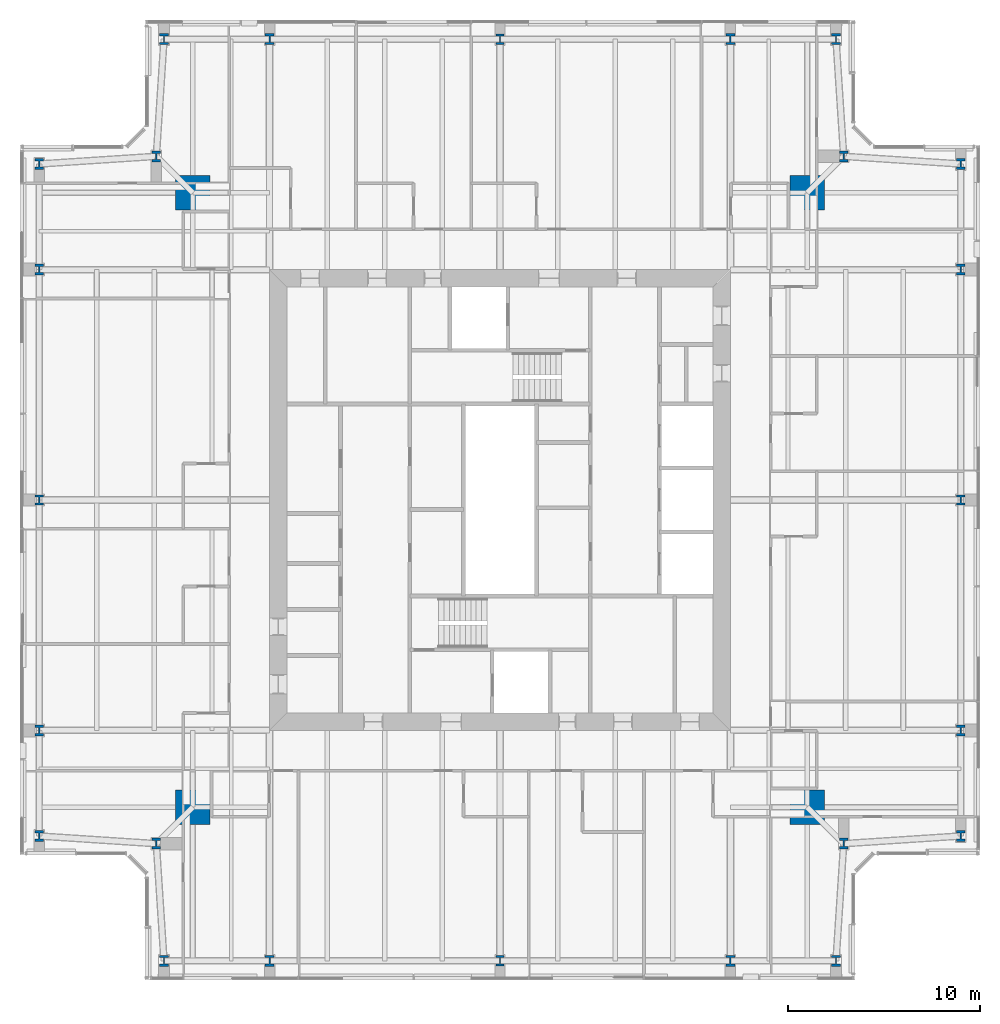
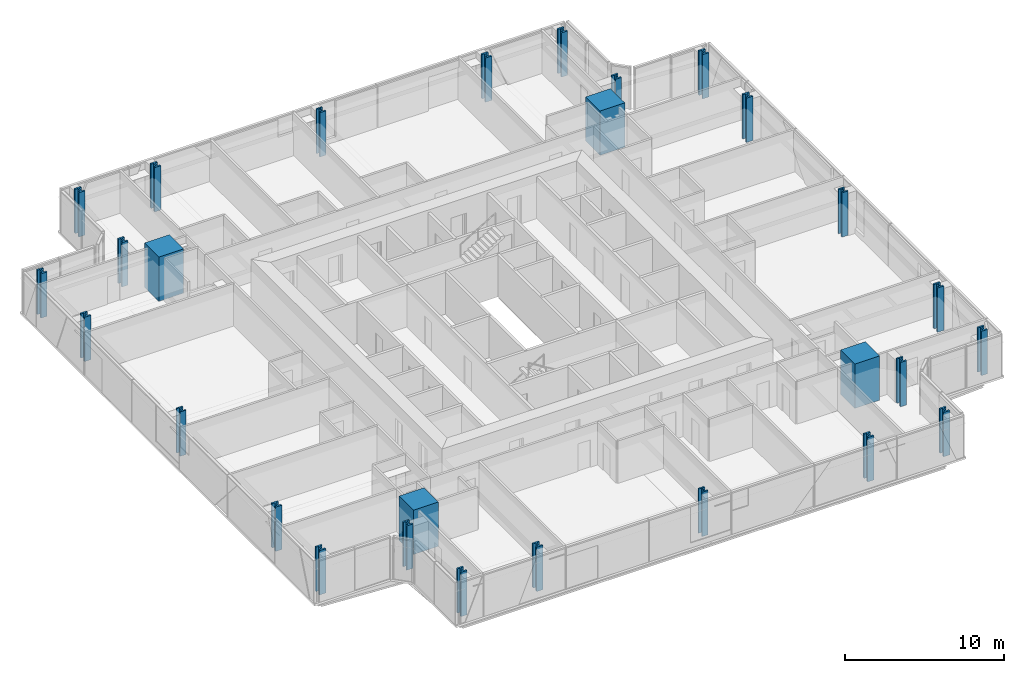
# One storey, part 1 of 20: 28 columns.
"""IFC4 building model written with IfcOpenShell, lengths in metres."""

from ifc_helpers import new_model, si_unit, direction, frame, origin, origin_2d, place, context, subcontext, project, spatial, rectangle, i_section, extrude, material, material_profile, profile_set, type_object, element, save


model = new_model("IFC4")

# Units and contexts
model_context = context("Model", 3, precision=1e-05, world=origin(), true_north=direction((0.0, 1.0)))
body_context = subcontext(model_context, "Body", "Model", "MODEL_VIEW")
ifc_project = project(units=[si_unit("LENGTHUNIT", "METRE"), si_unit("AREAUNIT", "SQUARE_METRE"), si_unit("VOLUMEUNIT", "CUBIC_METRE"), si_unit("PLANEANGLEUNIT", "RADIAN"), si_unit("MASSUNIT", "GRAM", prefix="KILO")], contexts=[model_context])

# Site, building, storey
site_placement = place(None, origin())
site = spatial("IfcSite", under=ifc_project, at=site_placement, CompositionType="ELEMENT")
building_placement = place(site_placement, origin())
building = spatial("IfcBuilding", under=site, at=building_placement, Name="Fenwick Lantern Interchange", CompositionType="ELEMENT")
storey_placement = place(building_placement, frame((0.0, 0.0, 259.39990234375)))
storey = spatial("IfcBuildingStorey", under=building, at=storey_placement, Name="L61", CompositionType="ELEMENT", Elevation=259.39990234375)

# Columns
ifc_material_1 = material(Name="Concrete f'c 70 MPa", Category="concrete")
ifc_material_profile_1 = material_profile(ifc_material_1, rectangle(XDim=1.800048828125, YDim=1.800048828125, at=origin_2d()), Name="RC1800X1800")
ifc_profile_set_1 = profile_set([ifc_material_profile_1], Name="Concrete f'c 70 MPa")
column_type_1 = type_object("IfcColumnType", Name="MEGA COLUMN RC1800X1800", PredefinedType="COLUMN", material=ifc_profile_set_1)
for number, where, z_axis, x_axis, name in (
    (1, (9.0, 9.0, 0.0), (0.0, 0.0, 1.0), (1.0, 0.0, 0.0), "L61/M1"),
    (2, (41.0, 9.0, 0.0), (0.0, 0.0, 1.0), (1.0, 0.0, 0.0), "L61/M2"),
    (3, (41.0, 41.0, 0.0), (0.0, 0.0, 1.0), (1.0, 0.0, 0.0), "L61/M3"),
    (4, (9.0, 41.0, 0.0), (0.0, 0.0, 1.0), (1.0, 0.0, 0.0), "L61/M4"),
):
    element("IfcColumn", number, at=place(storey_placement, frame(where, z_axis=z_axis, x_axis=x_axis)), inside=storey, type_object=column_type_1, Name=name, PredefinedType="COLUMN", context=body_context, shape_type="SweptSolid", body=[
        extrude(rectangle(XDim=1.800048828125, YDim=1.800048828125, at=origin_2d()), origin(), (0.0, 0.0, 1.0), 3.400146484375),
    ])
ifc_material_2 = material(Name="Steel ASTM A992 Grade 50", Category="steel")
ifc_material_profile_2 = material_profile(ifc_material_2, i_section(OverallWidth=0.44189453125, OverallDepth=0.53076171875, WebThickness=0.06591796875, FlangeThickness=0.105712890625, at=origin_2d()), Name="W14X605")
ifc_profile_set_2 = profile_set([ifc_material_profile_2], Name="Steel ASTM A992 Grade 50")
column_type_2 = type_object("IfcColumnType", Name="PERIMETER COLUMN W14X605", PredefinedType="COLUMN", material=ifc_profile_set_2)
for number, where, z_axis, x_axis, name in (
    (5, (25.0, 1.0, 0.0), (0.0, 0.0, 1.0), (1.0, 0.0, 0.0), "L61/CS3"),
    (6, (49.0, 25.0, 0.0), (0.0, 0.0, 1.0), (1.0, 0.0, 0.0), "L61/CE3"),
    (7, (25.0, 49.0, 0.0), (0.0, 0.0, 1.0), (1.0, 0.0, 0.0), "L61/CN3"),
    (8, (1.0, 25.0, 0.0), (0.0, 0.0, 1.0), (1.0, 0.0, 0.0), "L61/CW3"),
):
    element("IfcColumn", number, at=place(storey_placement, frame(where, z_axis=z_axis, x_axis=x_axis)), inside=storey, type_object=column_type_2, Name=name, PredefinedType="COLUMN", context=body_context, shape_type="SweptSolid", body=[
        extrude(i_section(OverallWidth=0.44189453125, OverallDepth=0.53076171875, WebThickness=0.06591796875, FlangeThickness=0.105712890625, at=origin_2d()), origin(), (0.0, 0.0, 1.0), 3.400146484375),
    ])
ifc_material_profile_3 = material_profile(ifc_material_2, i_section(OverallWidth=0.45458984375, OverallDepth=0.56884765625, WebThickness=0.077880859375, FlangeThickness=0.124755859375, at=origin_2d()), Name="W14X730")
ifc_profile_set_3 = profile_set([ifc_material_profile_3], Name="Steel ASTM A992 Grade 50")
column_type_3 = type_object("IfcColumnType", Name="PERIMETER COLUMN W14X730", PredefinedType="COLUMN", material=ifc_profile_set_3)
for number, where, z_axis, x_axis, name in (
    (9, (7.5, 1.0, 0.0), (0.0, 0.0, 1.0), (1.0, 0.0, 0.0), "L61/CS1"),
    (10, (13.0, 1.0, 0.0), (0.0, 0.0, 1.0), (1.0, 0.0, 0.0), "L61/CS2"),
    (11, (37.0, 1.0, 0.0), (0.0, 0.0, 1.0), (1.0, 0.0, 0.0), "L61/CS4"),
    (12, (42.5, 1.0, 0.0), (0.0, 0.0, 1.0), (1.0, 0.0, 0.0), "L61/CS5"),
    (13, (42.89990234375, 7.10009765625, 0.0), (0.0, 0.0, 1.0), (1.0, 0.0, 0.0), "L61/CSR"),
    (14, (49.0, 7.5, 0.0), (0.0, 0.0, 1.0), (1.0, 0.0, 0.0), "L61/CE1"),
    (15, (49.0, 13.0, 0.0), (0.0, 0.0, 1.0), (1.0, 0.0, 0.0), "L61/CE2"),
    (16, (49.0, 37.0, 0.0), (0.0, 0.0, 1.0), (1.0, 0.0, 0.0), "L61/CE4"),
    (17, (49.0, 42.5, 0.0), (0.0, 0.0, 1.0), (1.0, 0.0, 0.0), "L61/CE5"),
    (18, (42.89990234375, 42.89990234375, 0.0), (0.0, 0.0, 1.0), (1.0, 0.0, 0.0), "L61/CER"),
    (19, (42.5, 49.0, 0.0), (0.0, 0.0, 1.0), (1.0, 0.0, 0.0), "L61/CN1"),
    (20, (37.0, 49.0, 0.0), (0.0, 0.0, 1.0), (1.0, 0.0, 0.0), "L61/CN2"),
    (21, (13.0, 49.0, 0.0), (0.0, 0.0, 1.0), (1.0, 0.0, 0.0), "L61/CN4"),
    (22, (7.5, 49.0, 0.0), (0.0, 0.0, 1.0), (1.0, 0.0, 0.0), "L61/CN5"),
    (23, (7.10009765625, 42.89990234375, 0.0), (0.0, 0.0, 1.0), (1.0, 0.0, 0.0), "L61/CNR"),
    (24, (1.0, 42.5, 0.0), (0.0, 0.0, 1.0), (1.0, 0.0, 0.0), "L61/CW1"),
    (25, (1.0, 37.0, 0.0), (0.0, 0.0, 1.0), (1.0, 0.0, 0.0), "L61/CW2"),
    (26, (1.0, 13.0, 0.0), (0.0, 0.0, 1.0), (1.0, 0.0, 0.0), "L61/CW4"),
    (27, (1.0, 7.5, 0.0), (0.0, 0.0, 1.0), (1.0, 0.0, 0.0), "L61/CW5"),
    (28, (7.10009765625, 7.10009765625, 0.0), (0.0, 0.0, 1.0), (1.0, 0.0, 0.0), "L61/CWR"),
):
    element("IfcColumn", number, at=place(storey_placement, frame(where, z_axis=z_axis, x_axis=x_axis)), inside=storey, type_object=column_type_3, Name=name, PredefinedType="COLUMN", context=body_context, shape_type="SweptSolid", body=[
        extrude(i_section(OverallWidth=0.45458984375, OverallDepth=0.56884765625, WebThickness=0.077880859375, FlangeThickness=0.124755859375, at=origin_2d()), origin(), (0.0, 0.0, 1.0), 3.400146484375),
    ])

save(model, "model.ifc")
